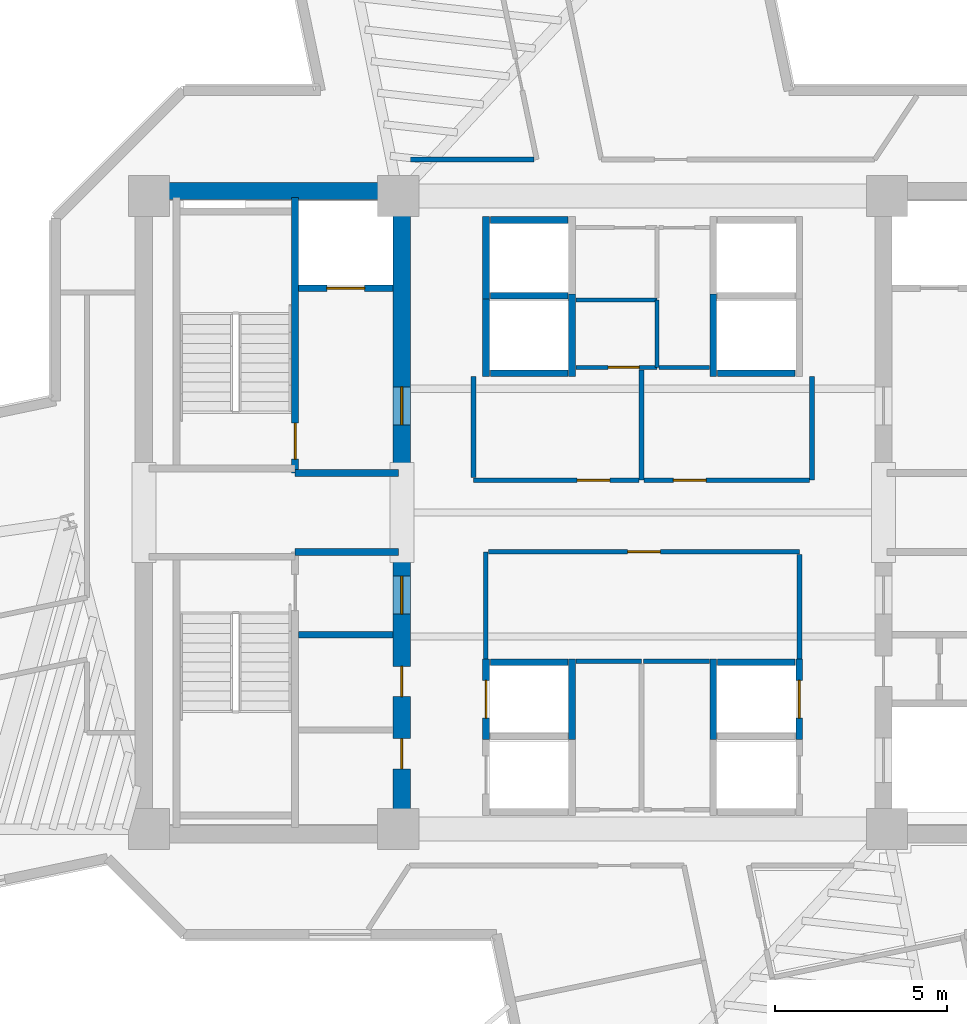
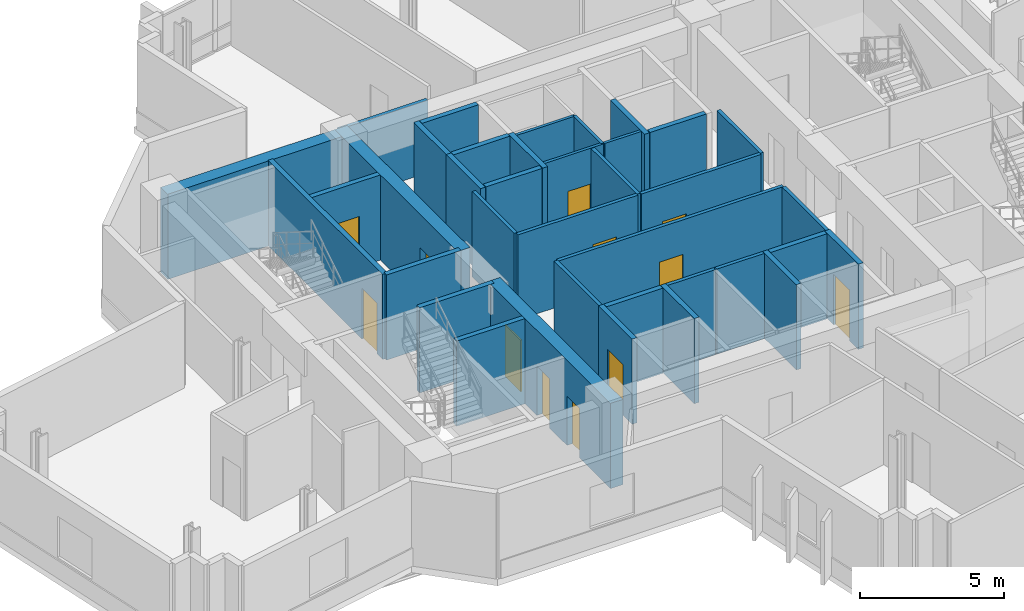
# One storey, part 8 of 14: 37 walls, 12 doors, 12 openings.
"""IFC4 building model written with IfcOpenShell, lengths in metres."""

from ifc_helpers import new_model, si_unit, direction, frame, frame_2d, origin, place, context, subcontext, project, spatial, rectangle, extrude, source, transform, mapped, material, layer, layer_set, type_object, element, fill, save


model = new_model("IFC4")

# Units and contexts
model_context = context("Model", 3, precision=1e-05, world=origin(), true_north=direction((0.0, 1.0)))
body_context = subcontext(model_context, "Body", "Model", "MODEL_VIEW")
ifc_project = project(units=[si_unit("LENGTHUNIT", "METRE"), si_unit("AREAUNIT", "SQUARE_METRE"), si_unit("VOLUMEUNIT", "CUBIC_METRE"), si_unit("PLANEANGLEUNIT", "RADIAN"), si_unit("MASSUNIT", "GRAM", prefix="KILO")], contexts=[model_context])

# Site, building, storey
site_placement = place(None, origin())
site = spatial("IfcSite", under=ifc_project, at=site_placement, CompositionType="ELEMENT")
building_placement = place(site_placement, origin())
building = spatial("IfcBuilding", under=site, at=building_placement, Name="Zahravan Cultural Tower", CompositionType="ELEMENT")
storey_placement = place(building_placement, frame((0.0, 0.0, 159.0)))
storey = spatial("IfcBuildingStorey", under=building, at=storey_placement, Name="L36", CompositionType="ELEMENT", Elevation=159.0)

# Wall, openings, doors
ifc_material_1 = material(Name="Concrete C60/75", Category="concrete")
ifc_layer_1 = layer(ifc_material_1, 0.5)
ifc_layer_set_1 = layer_set([ifc_layer_1], Name="Concrete C60/75")
wall_type_1 = type_object("IfcWallType", Name="CW-SHEAR-500-C60", PredefinedType="SHEAR", material=ifc_layer_set_1)
wall_1_placement = place(storey_placement, frame((29.0, 17.39990234375, 0.0), z_axis=(0.0, 0.0, 1.0), x_axis=(0.0, 1.0, 0.0)))
wall_1 = element("IfcWall", 1, at=wall_1_placement, inside=storey, type_object=wall_type_1, Name="L36 Core Shear Wall CW-W-ES-L36", PredefinedType="SHEAR", context=body_context, shape_type="SweptSolid", body=[
    extrude(rectangle(XDim=8.550048828125, YDim=0.5, at=frame_2d((4.27490234375, 0.0))), origin(), (0.0, 0.0, 1.0), 3.6201171875),
])
opening_1_placement = place(wall_1_placement, frame((6.64990234375, 0.0, 0.0)))
opening_1 = element("IfcOpeningElement", 2, at=opening_1_placement, cuts=wall_1, Name="Opening D-L36-07", PredefinedType="OPENING", context=body_context, shape_type="SweptSolid", body=[
    extrude(rectangle(XDim=1.10009765625, YDim=2.199951171875, at=frame_2d((0.550048828125, 1.10009765625))), frame((0.0, 0.260009765625, 0.0), z_axis=(0.0, -1.0, 0.0), x_axis=(1.0, 0.0, 0.0)), (0.0, 0.0, 1.0), 0.52001953125),
])
opening_2_placement = place(wall_1_placement, frame((2.14990234375, 0.0, 0.0)))
opening_2 = element("IfcOpeningElement", 3, at=opening_2_placement, cuts=wall_1, Name="Opening D-L36-09", PredefinedType="OPENING", context=body_context, shape_type="SweptSolid", body=[
    extrude(rectangle(XDim=0.8798828125, YDim=2.10009765625, at=frame_2d((0.43994140625, 1.050048828125))), frame((0.0, 0.260009765625, 0.0), z_axis=(0.0, -1.0, 0.0), x_axis=(1.0, 0.0, 0.0)), (0.0, 0.0, 1.0), 0.52001953125),
])
opening_3_placement = place(wall_1_placement, frame((4.25, 0.0, 0.0)))
opening_3 = element("IfcOpeningElement", 4, at=opening_3_placement, cuts=wall_1, Name="Opening D-L36-10", PredefinedType="OPENING", context=body_context, shape_type="SweptSolid", body=[
    extrude(rectangle(XDim=0.8798828125, YDim=2.10009765625, at=frame_2d((0.43994140625, 1.050048828125))), frame((0.0, 0.260009765625, 0.0), z_axis=(0.0, -1.0, 0.0), x_axis=(1.0, 0.0, 0.0)), (0.0, 0.0, 1.0), 0.52001953125),
])
ifc_material_2 = material(Name="Steel ASTM A572 Grade 50", Category="steel")
door_type_1 = type_object("IfcDoorType", Name="DR-LOBBY-1100", OperationType="NOTDEFINED", PredefinedType="DOOR", material=ifc_material_2)
shared_shape_1 = source(origin(), body_context, "Body", "SweptSolid", [
    extrude(rectangle(XDim=1.10009765625, YDim=2.199951171875, at=frame_2d((0.550048828125, 1.10009765625))), frame((0.0, 0.02490234375, 0.0), z_axis=(0.0, -1.0, 0.0), x_axis=(1.0, 0.0, 0.0)), (0.0, 0.0, 1.0), 0.050048828125),
])
door_1_placement = place(opening_1_placement, origin())
door_1 = element("IfcDoor", 5, at=door_1_placement, inside=storey, type_object=door_type_1, Name="L36 Door D-L36-07", OperationType="SINGLE_SWING_RIGHT", OverallHeight=2.199951171875, OverallWidth=1.10009765625, PredefinedType="DOOR", context=body_context, shape_type="MappedRepresentation", body=[
    mapped(shared_shape_1, transform((0.0, 0.0, 0.0), x_axis=(1.0, 0.0, 0.0), y_axis=(0.0, 1.0, 0.0), z_axis=(0.0, 0.0, 1.0), scale=1.0)),
])
fill(opening_1, door_1)
door_type_2 = type_object("IfcDoorType", Name="DR-SVC-880", OperationType="NOTDEFINED", PredefinedType="DOOR", material=ifc_material_2)
shared_shape_2 = source(origin(), body_context, "Body", "SweptSolid", [
    extrude(rectangle(XDim=0.8798828125, YDim=2.10009765625, at=frame_2d((0.43994140625, 1.050048828125))), frame((0.0, 0.02490234375, 0.0), z_axis=(0.0, -1.0, 0.0), x_axis=(1.0, 0.0, 0.0)), (0.0, 0.0, 1.0), 0.050048828125),
])
door_2_placement = place(opening_2_placement, origin())
door_2 = element("IfcDoor", 6, at=door_2_placement, inside=storey, type_object=door_type_2, Name="L36 Door D-L36-09", OperationType="SINGLE_SWING_RIGHT", OverallHeight=2.10009765625, OverallWidth=0.8798828125, PredefinedType="DOOR", context=body_context, shape_type="MappedRepresentation", body=[
    mapped(shared_shape_2, transform((0.0, 0.0, 0.0), x_axis=(1.0, 0.0, 0.0), y_axis=(0.0, 1.0, 0.0), z_axis=(0.0, 0.0, 1.0), scale=1.0)),
])
fill(opening_2, door_2)
door_3_placement = place(opening_3_placement, origin())
door_3 = element("IfcDoor", 7, at=door_3_placement, inside=storey, type_object=door_type_2, Name="L36 Door D-L36-10", OperationType="SINGLE_SWING_LEFT", OverallHeight=2.10009765625, OverallWidth=0.8798828125, PredefinedType="DOOR", context=body_context, shape_type="MappedRepresentation", body=[
    mapped(shared_shape_2, transform((0.0, 0.0, 0.0), x_axis=(1.0, 0.0, 0.0), y_axis=(0.0, 1.0, 0.0), z_axis=(0.0, 0.0, 1.0), scale=1.0)),
])
fill(opening_3, door_3)

# Wall, opening, door
wall_2_placement = place(storey_placement, frame((29.0, 28.050048828125, 0.0), z_axis=(0.0, 0.0, 1.0), x_axis=(0.0, 1.0, 0.0)))
wall_2 = element("IfcWall", 8, at=wall_2_placement, inside=storey, type_object=wall_type_1, Name="L36 Core Shear Wall CW-W-EN-L36", PredefinedType="SHEAR", context=body_context, shape_type="SweptSolid", body=[
    extrude(rectangle(XDim=8.550048828125, YDim=0.5, at=frame_2d((4.27490234375, 0.0))), origin(), (0.0, 0.0, 1.0), 3.6201171875),
])
opening_4_placement = place(wall_2_placement, frame((1.5, 0.0, 0.0)))
opening_4 = element("IfcOpeningElement", 9, at=opening_4_placement, cuts=wall_2, Name="Opening D-L36-05", PredefinedType="OPENING", context=body_context, shape_type="SweptSolid", body=[
    extrude(rectangle(XDim=1.10009765625, YDim=2.199951171875, at=frame_2d((0.550048828125, 1.10009765625))), frame((0.0, 0.260009765625, 0.0), z_axis=(0.0, -1.0, 0.0), x_axis=(1.0, 0.0, 0.0)), (0.0, 0.0, 1.0), 0.52001953125),
])
door_4_placement = place(opening_4_placement, origin())
door_4 = element("IfcDoor", 10, at=door_4_placement, inside=storey, type_object=door_type_1, Name="L36 Door D-L36-05", OperationType="SINGLE_SWING_RIGHT", OverallHeight=2.199951171875, OverallWidth=1.10009765625, PredefinedType="DOOR", context=body_context, shape_type="MappedRepresentation", body=[
    mapped(shared_shape_1, transform((0.0, 0.0, 0.0), x_axis=(1.0, 0.0, 0.0), y_axis=(0.0, 1.0, 0.0), z_axis=(0.0, 0.0, 1.0), scale=1.0)),
])
fill(opening_4, door_4)

ifc_material_3 = material(Name="Gypsum plasterboard partition")
ifc_layer_2 = layer(ifc_material_3, 0.139892578125)
ifc_layer_set_2 = layer_set([ifc_layer_2], Name="Gypsum plasterboard partition")
wall_type_2 = type_object("IfcWallType", Name="W-PART-140", PredefinedType="PARTITIONING", material=ifc_layer_set_2)
wall_3_placement = place(storey_placement, frame((35.89501953125, 27.93994140625, 0.0), z_axis=(0.0, 0.0, 1.0), x_axis=(-1.0, 0.0, 0.0)))
wall_3 = element("IfcWall", 11, at=wall_3_placement, inside=storey, type_object=wall_type_2, Name="L36 Interior Wall 069", PredefinedType="PARTITIONING", context=body_context, shape_type="SweptSolid", body=[
    extrude(rectangle(XDim=4.81494140625, YDim=0.139892578125, at=frame_2d((2.407470703125, 0.0))), origin(), (0.0, 0.0, 1.0), 3.6201171875),
])
opening_5_placement = place(wall_3_placement, frame((0.850341796875, 0.0, 0.0)))
opening_5 = element("IfcOpeningElement", 12, at=opening_5_placement, cuts=wall_3, Name="Opening D-L36-16", PredefinedType="OPENING", context=body_context, shape_type="SweptSolid", body=[
    extrude(rectangle(XDim=0.949951171875, YDim=2.14990234375, at=frame_2d((0.47509765625, 1.074951171875))), frame((0.0, 0.079833984375, 0.0), z_axis=(0.0, -1.0, 0.0), x_axis=(1.0, 0.0, 0.0)), (0.0, 0.0, 1.0), 0.159912109375),
])
ifc_material_4 = material(Name="Anodised bronze-aluminium mullion", Category="aluminium")
door_type_3 = type_object("IfcDoorType", Name="DR-ROOM-950", OperationType="NOTDEFINED", PredefinedType="DOOR", material=ifc_material_4)
shared_shape_3 = source(origin(), body_context, "Body", "SweptSolid", [
    extrude(rectangle(XDim=0.949951171875, YDim=2.14990234375, at=frame_2d((0.47509765625, 1.074951171875))), frame((0.0, 0.02490234375, 0.0), z_axis=(0.0, -1.0, 0.0), x_axis=(1.0, 0.0, 0.0)), (0.0, 0.0, 1.0), 0.050048828125),
])
door_5_placement = place(opening_5_placement, origin())
door_5 = element("IfcDoor", 13, at=door_5_placement, inside=storey, type_object=door_type_3, Name="L36 Door D-L36-16", OperationType="SINGLE_SWING_LEFT", OverallHeight=2.14990234375, OverallWidth=0.949951171875, PredefinedType="DOOR", context=body_context, shape_type="MappedRepresentation", body=[
    mapped(shared_shape_3, transform((0.0, 0.0, 0.0), x_axis=(1.0, 0.0, 0.0), y_axis=(0.0, 1.0, 0.0), z_axis=(0.0, 0.0, 1.0), scale=1.0)),
])
fill(opening_5, door_5)

wall_4_placement = place(storey_placement, frame((40.844970703125, 27.93994140625, 0.0), z_axis=(0.0, 0.0, 1.0), x_axis=(-1.0, 0.0, 0.0)))
wall_4 = element("IfcWall", 14, at=wall_4_placement, inside=storey, type_object=wall_type_2, Name="L36 Interior Wall 072", PredefinedType="PARTITIONING", context=body_context, shape_type="SweptSolid", body=[
    extrude(rectangle(XDim=4.800048828125, YDim=0.139892578125, at=frame_2d((2.39990234375, 0.0))), origin(), (0.0, 0.0, 1.0), 3.6201171875),
])
opening_6_placement = place(wall_4_placement, frame((3.0029296875, 0.0, 0.0)))
opening_6 = element("IfcOpeningElement", 15, at=opening_6_placement, cuts=wall_4, Name="Opening D-L36-17", PredefinedType="OPENING", context=body_context, shape_type="SweptSolid", body=[
    extrude(rectangle(XDim=0.949951171875, YDim=2.14990234375, at=frame_2d((0.47509765625, 1.074951171875))), frame((0.0, 0.079833984375, 0.0), z_axis=(0.0, -1.0, 0.0), x_axis=(1.0, 0.0, 0.0)), (0.0, 0.0, 1.0), 0.159912109375),
])
door_6_placement = place(opening_6_placement, origin())
door_6 = element("IfcDoor", 16, at=door_6_placement, inside=storey, type_object=door_type_3, Name="L36 Door D-L36-17", OperationType="SINGLE_SWING_RIGHT", OverallHeight=2.14990234375, OverallWidth=0.949951171875, PredefinedType="DOOR", context=body_context, shape_type="MappedRepresentation", body=[
    mapped(shared_shape_3, transform((0.0, 0.0, 0.0), x_axis=(1.0, 0.0, 0.0), y_axis=(0.0, 1.0, 0.0), z_axis=(0.0, 0.0, 1.0), scale=1.0)),
])
fill(opening_6, door_6)

wall_5_placement = place(storey_placement, frame((31.514892578125, 25.860107421875, 0.0), z_axis=(0.0, 0.0, 1.0), x_axis=(1.0, 0.0, 0.0)))
wall_5 = element("IfcWall", 17, at=wall_5_placement, inside=storey, type_object=wall_type_2, Name="L36 Interior Wall 078", PredefinedType="PARTITIONING", context=body_context, shape_type="SweptSolid", body=[
    extrude(rectangle(XDim=9.045166015625, YDim=0.139892578125, at=frame_2d((4.5224609375, 0.0))), origin(), (0.0, 0.0, 1.0), 3.6201171875),
])
opening_7_placement = place(wall_5_placement, frame((4.047607421875, 0.0, 0.0)))
opening_7 = element("IfcOpeningElement", 18, at=opening_7_placement, cuts=wall_5, Name="Opening D-L36-13", PredefinedType="OPENING", context=body_context, shape_type="SweptSolid", body=[
    extrude(rectangle(XDim=0.949951171875, YDim=2.14990234375, at=frame_2d((0.47509765625, 1.074951171875))), frame((0.0, 0.079833984375, 0.0), z_axis=(0.0, -1.0, 0.0), x_axis=(1.0, 0.0, 0.0)), (0.0, 0.0, 1.0), 0.159912109375),
])
door_7_placement = place(opening_7_placement, origin())
door_7 = element("IfcDoor", 19, at=door_7_placement, inside=storey, type_object=door_type_3, Name="L36 Door D-L36-13", OperationType="SINGLE_SWING_RIGHT", OverallHeight=2.14990234375, OverallWidth=0.949951171875, PredefinedType="DOOR", context=body_context, shape_type="MappedRepresentation", body=[
    mapped(shared_shape_3, transform((0.0, 0.0, 0.0), x_axis=(1.0, 0.0, 0.0), y_axis=(0.0, 1.0, 0.0), z_axis=(0.0, 0.0, 1.0), scale=1.0)),
])
fill(opening_7, door_7)

ifc_material_5 = material(Name="Concrete C45/55", Category="concrete")
ifc_layer_3 = layer(ifc_material_5, 0.199951171875)
ifc_layer_set_3 = layer_set([ifc_layer_3], Name="Concrete C45/55")
wall_type_3 = type_object("IfcWallType", Name="W-SHAFT-200", PredefinedType="SOLIDWALL", material=ifc_layer_set_3)
wall_6_placement = place(storey_placement, frame((25.89990234375, 28.14990234375, 0.0), z_axis=(0.0, 0.0, 1.0), x_axis=(0.0, 1.0, 0.0)))
wall_6 = element("IfcWall", 20, at=wall_6_placement, inside=storey, type_object=wall_type_3, Name="L36 Interior Wall 006", PredefinedType="SOLIDWALL", context=body_context, shape_type="SweptSolid", body=[
    extrude(rectangle(XDim=8.0, YDim=0.199951171875, at=frame_2d((4.0, 0.0))), origin(), (0.0, 0.0, 1.0), 3.6201171875),
])
opening_8_placement = place(wall_6_placement, frame((0.39990234375, 0.0, 0.0)))
opening_8 = element("IfcOpeningElement", 21, at=opening_8_placement, cuts=wall_6, Name="Opening D-L36-01", PredefinedType="OPENING", context=body_context, shape_type="SweptSolid", body=[
    extrude(rectangle(XDim=1.050048828125, YDim=2.14990234375, at=frame_2d((0.52490234375, 1.074951171875))), frame((0.0, 0.10986328125, 0.0), z_axis=(0.0, -1.0, 0.0), x_axis=(1.0, 0.0, 0.0)), (0.0, 0.0, 1.0), 0.219970703125),
])
door_type_4 = type_object("IfcDoorType", Name="DR-STAIR-1050", OperationType="NOTDEFINED", PredefinedType="DOOR", material=ifc_material_2)
shared_shape_4 = source(origin(), body_context, "Body", "SweptSolid", [
    extrude(rectangle(XDim=1.050048828125, YDim=2.14990234375, at=frame_2d((0.52490234375, 1.074951171875))), frame((0.0, 0.02490234375, 0.0), z_axis=(0.0, -1.0, 0.0), x_axis=(1.0, 0.0, 0.0)), (0.0, 0.0, 1.0), 0.050048828125),
])
door_8_placement = place(opening_8_placement, origin())
door_8 = element("IfcDoor", 22, at=door_8_placement, inside=storey, type_object=door_type_4, Name="L36 Door D-L36-01", OperationType="SINGLE_SWING_RIGHT", OverallHeight=2.14990234375, OverallWidth=1.050048828125, PredefinedType="DOOR", context=body_context, shape_type="MappedRepresentation", body=[
    mapped(shared_shape_4, transform((0.0, 0.0, 0.0), x_axis=(1.0, 0.0, 0.0), y_axis=(0.0, 1.0, 0.0), z_axis=(0.0, 0.0, 1.0), scale=1.0)),
])
fill(opening_8, door_8)

wall_7_placement = place(storey_placement, frame((26.0, 33.52001953125, 0.0), z_axis=(0.0, 0.0, 1.0), x_axis=(1.0, 0.0, 0.0)))
wall_7 = element("IfcWall", 23, at=wall_7_placement, inside=storey, type_object=wall_type_3, Name="L36 Interior Wall 021", PredefinedType="SOLIDWALL", context=body_context, shape_type="SweptSolid", body=[
    extrude(rectangle(XDim=2.75, YDim=0.199951171875, at=frame_2d((1.375, 0.0))), origin(), (0.0, 0.0, 1.0), 3.6201171875),
])
opening_9_placement = place(wall_7_placement, frame((0.820068359375, 0.0, 0.0)))
opening_9 = element("IfcOpeningElement", 24, at=opening_9_placement, cuts=wall_7, Name="Opening LD-L36-01", PredefinedType="OPENING", context=body_context, shape_type="SweptSolid", body=[
    extrude(rectangle(XDim=1.10009765625, YDim=2.14990234375, at=frame_2d((0.550048828125, 1.074951171875))), frame((0.0, 0.10986328125, 0.0), z_axis=(0.0, -1.0, 0.0), x_axis=(1.0, 0.0, 0.0)), (0.0, 0.0, 1.0), 0.219970703125),
])
door_type_5 = type_object("IfcDoorType", Name="DR-LIFT-1100", OperationType="DOUBLE_DOOR_SLIDING", PredefinedType="DOOR", material=ifc_material_2)
shared_shape_5 = source(origin(), body_context, "Body", "SweptSolid", [
    extrude(rectangle(XDim=1.10009765625, YDim=2.14990234375, at=frame_2d((0.550048828125, 1.074951171875))), frame((0.0, 0.02490234375, 0.0), z_axis=(0.0, -1.0, 0.0), x_axis=(1.0, 0.0, 0.0)), (0.0, 0.0, 1.0), 0.050048828125),
])
door_9_placement = place(opening_9_placement, origin())
door_9 = element("IfcDoor", 25, at=door_9_placement, inside=storey, type_object=door_type_5, Name="L36 Door LD-L36-01", OperationType="DOUBLE_DOOR_SLIDING", OverallHeight=2.14990234375, OverallWidth=1.10009765625, PredefinedType="DOOR", context=body_context, shape_type="MappedRepresentation", body=[
    mapped(shared_shape_5, transform((0.0, 0.0, 0.0), x_axis=(1.0, 0.0, 0.0), y_axis=(0.0, 1.0, 0.0), z_axis=(0.0, 0.0, 1.0), scale=1.0)),
])
fill(opening_9, door_9)

wall_8_placement = place(storey_placement, frame((31.449951171875, 20.39990234375, 0.0), z_axis=(0.0, 0.0, 1.0), x_axis=(0.0, 1.0, 0.0)))
wall_8 = element("IfcWall", 26, at=wall_8_placement, inside=storey, type_object=wall_type_3, Name="L36 Interior Wall 042", PredefinedType="SOLIDWALL", context=body_context, shape_type="SweptSolid", body=[
    extrude(rectangle(XDim=2.35009765625, YDim=0.199951171875, at=frame_2d((1.175048828125, 0.0))), origin(), (0.0, 0.0, 1.0), 3.6201171875),
])
opening_10_placement = place(wall_8_placement, frame((0.625, 0.0, 0.0)))
opening_10 = element("IfcOpeningElement", 27, at=opening_10_placement, cuts=wall_8, Name="Opening LD-L36-04", PredefinedType="OPENING", context=body_context, shape_type="SweptSolid", body=[
    extrude(rectangle(XDim=1.10009765625, YDim=2.14990234375, at=frame_2d((0.550048828125, 1.074951171875))), frame((0.0, 0.10986328125, 0.0), z_axis=(0.0, -1.0, 0.0), x_axis=(1.0, 0.0, 0.0)), (0.0, 0.0, 1.0), 0.219970703125),
])
door_10_placement = place(opening_10_placement, origin())
door_10 = element("IfcDoor", 28, at=door_10_placement, inside=storey, type_object=door_type_5, Name="L36 Door LD-L36-04", OperationType="DOUBLE_DOOR_SLIDING", OverallHeight=2.14990234375, OverallWidth=1.10009765625, PredefinedType="DOOR", context=body_context, shape_type="MappedRepresentation", body=[
    mapped(shared_shape_5, transform((0.0, 0.0, 0.0), x_axis=(1.0, 0.0, 0.0), y_axis=(0.0, 1.0, 0.0), z_axis=(0.0, 0.0, 1.0), scale=1.0)),
])
fill(opening_10, door_10)

wall_9_placement = place(storey_placement, frame((40.550048828125, 20.39990234375, 0.0), z_axis=(0.0, 0.0, 1.0), x_axis=(0.0, 1.0, 0.0)))
wall_9 = element("IfcWall", 29, at=wall_9_placement, inside=storey, type_object=wall_type_3, Name="L36 Interior Wall 050", PredefinedType="SOLIDWALL", context=body_context, shape_type="SweptSolid", body=[
    extrude(rectangle(XDim=2.35009765625, YDim=0.199951171875, at=frame_2d((1.175048828125, 0.0))), origin(), (0.0, 0.0, 1.0), 3.6201171875),
])
opening_11_placement = place(wall_9_placement, frame((0.625, 0.0, 0.0)))
opening_11 = element("IfcOpeningElement", 30, at=opening_11_placement, cuts=wall_9, Name="Opening LD-L36-06", PredefinedType="OPENING", context=body_context, shape_type="SweptSolid", body=[
    extrude(rectangle(XDim=1.10009765625, YDim=2.14990234375, at=frame_2d((0.550048828125, 1.074951171875))), frame((0.0, 0.10986328125, 0.0), z_axis=(0.0, -1.0, 0.0), x_axis=(1.0, 0.0, 0.0)), (0.0, 0.0, 1.0), 0.219970703125),
])
door_11_placement = place(opening_11_placement, origin())
door_11 = element("IfcDoor", 31, at=door_11_placement, inside=storey, type_object=door_type_5, Name="L36 Door LD-L36-06", OperationType="DOUBLE_DOOR_SLIDING", OverallHeight=2.14990234375, OverallWidth=1.10009765625, PredefinedType="DOOR", context=body_context, shape_type="MappedRepresentation", body=[
    mapped(shared_shape_5, transform((0.0, 0.0, 0.0), x_axis=(1.0, 0.0, 0.0), y_axis=(0.0, 1.0, 0.0), z_axis=(0.0, 0.0, 1.0), scale=1.0)),
])
fill(opening_11, door_11)

ifc_layer_4 = layer(ifc_material_3, 0.114990234375)
ifc_layer_set_4 = layer_set([ifc_layer_4], Name="Gypsum plasterboard partition")
wall_type_4 = type_object("IfcWallType", Name="W-WC-115", PredefinedType="PARTITIONING", material=ifc_layer_set_4)
wall_10_placement = place(storey_placement, frame((36.409912109375, 31.219970703125, 0.0), z_axis=(0.0, 0.0, 1.0), x_axis=(-1.0, 0.0, 0.0)))
wall_10 = element("IfcWall", 32, at=wall_10_placement, inside=storey, type_object=wall_type_4, Name="L36 Interior Wall 056", PredefinedType="PARTITIONING", context=body_context, shape_type="SweptSolid", body=[
    extrude(rectangle(XDim=2.35498046875, YDim=0.114990234375, at=frame_2d((1.177490234375, 0.0))), origin(), (0.0, 0.0, 1.0), 3.6201171875),
])
opening_12_placement = place(wall_10_placement, frame((0.5166015625, 0.0, 0.0)))
opening_12 = element("IfcOpeningElement", 33, at=opening_12_placement, cuts=wall_10, Name="Opening D-L36-29", PredefinedType="OPENING", context=body_context, shape_type="SweptSolid", body=[
    extrude(rectangle(XDim=0.89990234375, YDim=2.10009765625, at=frame_2d((0.449951171875, 1.050048828125))), frame((0.0, 0.0673828125, 0.0), z_axis=(0.0, -1.0, 0.0), x_axis=(1.0, 0.0, 0.0)), (0.0, 0.0, 1.0), 0.135009765625),
])
door_type_6 = type_object("IfcDoorType", Name="DR-WC-900", OperationType="NOTDEFINED", PredefinedType="DOOR", material=ifc_material_4)
shared_shape_6 = source(origin(), body_context, "Body", "SweptSolid", [
    extrude(rectangle(XDim=0.89990234375, YDim=2.10009765625, at=frame_2d((0.449951171875, 1.050048828125))), frame((0.0, 0.02490234375, 0.0), z_axis=(0.0, -1.0, 0.0), x_axis=(1.0, 0.0, 0.0)), (0.0, 0.0, 1.0), 0.050048828125),
])
door_12_placement = place(opening_12_placement, origin())
door_12 = element("IfcDoor", 34, at=door_12_placement, inside=storey, type_object=door_type_6, Name="L36 Door D-L36-29", OperationType="SINGLE_SWING_RIGHT", OverallHeight=2.10009765625, OverallWidth=0.89990234375, PredefinedType="DOOR", context=body_context, shape_type="MappedRepresentation", body=[
    mapped(shared_shape_6, transform((0.0, 0.0, 0.0), x_axis=(1.0, 0.0, 0.0), y_axis=(0.0, 1.0, 0.0), z_axis=(0.0, 0.0, 1.0), scale=1.0)),
])
fill(opening_12, door_12)

# Walls
shared_shape_7 = source(origin(), body_context, "Body", "SweptSolid", [
    extrude(rectangle(XDim=7.0, YDim=0.5, at=frame_2d((3.5, 0.0))), origin(), (0.0, 0.0, 1.0), 3.6201171875),
])
wall_11_placement = place(storey_placement, frame((21.75, 36.35009765625, 0.0), z_axis=(0.0, 0.0, 1.0), x_axis=(1.0, 0.0, 0.0)))
element("IfcWall", 35, at=wall_11_placement, inside=storey, type_object=wall_type_1, Name="L36 Core Shear Wall CW-W-N-L36", PredefinedType="SHEAR", context=body_context, shape_type="MappedRepresentation", body=[
    mapped(shared_shape_7, transform((0.0, 0.0, 0.0), x_axis=(1.0, 0.0, 0.0), y_axis=(0.0, 1.0, 0.0), z_axis=(0.0, 0.0, 1.0), scale=1.0)),
])
shared_shape_8 = source(origin(), body_context, "Body", "SweptSolid", [
    extrude(rectangle(XDim=3.0, YDim=0.199951171875, at=frame_2d((1.5, 0.0))), origin(), (0.0, 0.0, 1.0), 3.6201171875),
])
for number, where, z_axis, x_axis, name in (
    (36, (25.89990234375, 25.85009765625, 0.0), (0.0, 0.0, 1.0), (1.0, 0.0, 0.0), "L36 Interior Wall 010"),
    (37, (25.89990234375, 28.14990234375, 0.0), (0.0, 0.0, 1.0), (1.0, 0.0, 0.0), "L36 Interior Wall 012"),
):
    element("IfcWall", number, at=place(storey_placement, frame(where, z_axis=z_axis, x_axis=x_axis)), inside=storey, type_object=wall_type_3, Name=name, PredefinedType="SOLIDWALL", context=body_context, shape_type="MappedRepresentation", body=[
        mapped(shared_shape_8, transform((0.0, 0.0, 0.0), x_axis=(1.0, 0.0, 0.0), y_axis=(0.0, 1.0, 0.0), z_axis=(0.0, 0.0, 1.0), scale=1.0)),
    ])
shared_shape_9 = source(origin(), body_context, "Body", "SweptSolid", [
    extrude(rectangle(XDim=2.75, YDim=0.199951171875, at=frame_2d((1.375, 0.0))), origin(), (0.0, 0.0, 1.0), 3.6201171875),
])
wall_12_placement = place(storey_placement, frame((26.0, 23.449951171875, 0.0), z_axis=(0.0, 0.0, 1.0), x_axis=(1.0, 0.0, 0.0)))
element("IfcWall", 38, at=wall_12_placement, inside=storey, type_object=wall_type_3, Name="L36 Interior Wall 023", PredefinedType="SOLIDWALL", context=body_context, shape_type="MappedRepresentation", body=[
    mapped(shared_shape_9, transform((0.0, 0.0, 0.0), x_axis=(1.0, 0.0, 0.0), y_axis=(0.0, 1.0, 0.0), z_axis=(0.0, 0.0, 1.0), scale=1.0)),
])
shared_shape_10 = source(origin(), body_context, "Body", "SweptSolid", [
    extrude(rectangle(XDim=2.400146484375, YDim=0.199951171875, at=frame_2d((1.2001953125, 0.0))), origin(), (0.0, 0.0, 1.0), 3.6201171875),
])
for number, where, z_axis, x_axis, name in (
    (39, (31.449951171875, 33.199951171875, 0.0), (0.0, 0.0, 1.0), (0.0, 1.0, 0.0), "L36 Interior Wall 028"),
    (40, (31.449951171875, 30.949951171875, 0.0), (0.0, 0.0, 1.0), (0.0, 1.0, 0.0), "L36 Interior Wall 032"),
    (41, (33.949951171875, 30.949951171875, 0.0), (0.0, 0.0, 1.0), (0.0, 1.0, 0.0), "L36 Interior Wall 033"),
    (42, (38.050048828125, 30.949951171875, 0.0), (0.0, 0.0, 1.0), (0.0, 1.0, 0.0), "L36 Interior Wall 039"),
):
    element("IfcWall", number, at=place(storey_placement, frame(where, z_axis=z_axis, x_axis=x_axis)), inside=storey, type_object=wall_type_3, Name=name, PredefinedType="SOLIDWALL", context=body_context, shape_type="MappedRepresentation", body=[
        mapped(shared_shape_10, transform((0.0, 0.0, 0.0), x_axis=(1.0, 0.0, 0.0), y_axis=(0.0, 1.0, 0.0), z_axis=(0.0, 0.0, 1.0), scale=1.0)),
    ])
shared_shape_11 = source(origin(), body_context, "Body", "SweptSolid", [
    extrude(rectangle(XDim=2.260009765625, YDim=0.199951171875, at=frame_2d((1.1298828125, 0.0))), origin(), (0.0, 0.0, 1.0), 3.6201171875),
])
for number, where, z_axis, x_axis, name in (
    (43, (31.570068359375, 33.300048828125, 0.0), (0.0, 0.0, 1.0), (1.0, 0.0, 0.0), "L36 Interior Wall 030"),
    (44, (31.570068359375, 35.5, 0.0), (0.0, 0.0, 1.0), (1.0, 0.0, 0.0), "L36 Interior Wall 031"),
    (45, (31.570068359375, 31.050048828125, 0.0), (0.0, 0.0, 1.0), (1.0, 0.0, 0.0), "L36 Interior Wall 034"),
    (46, (38.169921875, 31.050048828125, 0.0), (0.0, 0.0, 1.0), (1.0, 0.0, 0.0), "L36 Interior Wall 041"),
    (47, (31.570068359375, 22.64990234375, 0.0), (0.0, 0.0, 1.0), (1.0, 0.0, 0.0), "L36 Interior Wall 045"),
    (48, (38.169921875, 22.64990234375, 0.0), (0.0, 0.0, 1.0), (1.0, 0.0, 0.0), "L36 Interior Wall 052"),
):
    element("IfcWall", number, at=place(storey_placement, frame(where, z_axis=z_axis, x_axis=x_axis)), inside=storey, type_object=wall_type_3, Name=name, PredefinedType="SOLIDWALL", context=body_context, shape_type="MappedRepresentation", body=[
        mapped(shared_shape_11, transform((0.0, 0.0, 0.0), x_axis=(1.0, 0.0, 0.0), y_axis=(0.0, 1.0, 0.0), z_axis=(0.0, 0.0, 1.0), scale=1.0)),
    ])
shared_shape_12 = source(origin(), body_context, "Body", "SweptSolid", [
    extrude(rectangle(XDim=2.35009765625, YDim=0.199951171875, at=frame_2d((1.175048828125, 0.0))), origin(), (0.0, 0.0, 1.0), 3.6201171875),
])
for number, where, z_axis, x_axis, name in (
    (49, (33.949951171875, 20.39990234375, 0.0), (0.0, 0.0, 1.0), (0.0, 1.0, 0.0), "L36 Interior Wall 043"),
    (50, (38.050048828125, 20.39990234375, 0.0), (0.0, 0.0, 1.0), (0.0, 1.0, 0.0), "L36 Interior Wall 049"),
):
    element("IfcWall", number, at=place(storey_placement, frame(where, z_axis=z_axis, x_axis=x_axis)), inside=storey, type_object=wall_type_3, Name=name, PredefinedType="SOLIDWALL", context=body_context, shape_type="MappedRepresentation", body=[
        mapped(shared_shape_12, transform((0.0, 0.0, 0.0), x_axis=(1.0, 0.0, 0.0), y_axis=(0.0, 1.0, 0.0), z_axis=(0.0, 0.0, 1.0), scale=1.0)),
    ])
shared_shape_13 = source(origin(), body_context, "Body", "SweptSolid", [
    extrude(rectangle(XDim=1.9599609375, YDim=0.114990234375, at=frame_2d((0.97998046875, 0.0))), origin(), (0.0, 0.0, 1.0), 3.6201171875),
])
wall_13_placement = place(storey_placement, frame((36.409912109375, 33.179931640625, 0.0), z_axis=(0.0, 0.0, 1.0), x_axis=(0.0, -1.0, 0.0)))
element("IfcWall", 51, at=wall_13_placement, inside=storey, type_object=wall_type_4, Name="L36 Interior Wall 058", PredefinedType="PARTITIONING", context=body_context, shape_type="MappedRepresentation", body=[
    mapped(shared_shape_13, transform((0.0, 0.0, 0.0), x_axis=(1.0, 0.0, 0.0), y_axis=(0.0, 1.0, 0.0), z_axis=(0.0, 0.0, 1.0), scale=1.0)),
])
shared_shape_14 = source(origin(), body_context, "Body", "SweptSolid", [
    extrude(rectangle(XDim=1.47265625, YDim=0.114990234375, at=frame_2d((0.736328125, 0.0))), origin(), (0.0, 0.0, 1.0), 3.6201171875),
])
wall_14_placement = place(storey_placement, frame((37.945068359375, 31.219970703125, 0.0), z_axis=(0.0, 0.0, 1.0), x_axis=(-1.0, 0.0, 0.0)))
element("IfcWall", 52, at=wall_14_placement, inside=storey, type_object=wall_type_4, Name="L36 Interior Wall 061", PredefinedType="PARTITIONING", context=body_context, shape_type="MappedRepresentation", body=[
    mapped(shared_shape_14, transform((0.0, 0.0, 0.0), x_axis=(1.0, 0.0, 0.0), y_axis=(0.0, 1.0, 0.0), z_axis=(0.0, 0.0, 1.0), scale=1.0)),
])
shared_shape_15 = source(origin(), body_context, "Body", "SweptSolid", [
    extrude(rectangle(XDim=3.110107421875, YDim=0.139892578125, at=frame_2d((1.55517578125, 0.0))), origin(), (0.0, 0.0, 1.0), 3.6201171875),
])
wall_15_placement = place(storey_placement, frame((31.43994140625, 22.75, 0.0), z_axis=(0.0, 0.0, 1.0), x_axis=(0.0, 1.0, 0.0)))
element("IfcWall", 53, at=wall_15_placement, inside=storey, type_object=wall_type_2, Name="L36 Interior Wall 077", PredefinedType="PARTITIONING", context=body_context, shape_type="MappedRepresentation", body=[
    mapped(shared_shape_15, transform((0.0, 0.0, 0.0), x_axis=(1.0, 0.0, 0.0), y_axis=(0.0, 1.0, 0.0), z_axis=(0.0, 0.0, 1.0), scale=1.0)),
])
shared_shape_16 = source(origin(), body_context, "Body", "SweptSolid", [
    extrude(rectangle(XDim=3.034912109375, YDim=0.139892578125, at=frame_2d((1.517578125, 0.0))), origin(), (0.0, 0.0, 1.0), 3.6201171875),
])
wall_16_placement = place(storey_placement, frame((40.56005859375, 25.784912109375, 0.0), z_axis=(0.0, 0.0, 1.0), x_axis=(0.0, -1.0, 0.0)))
element("IfcWall", 54, at=wall_16_placement, inside=storey, type_object=wall_type_2, Name="L36 Interior Wall 079", PredefinedType="PARTITIONING", context=body_context, shape_type="MappedRepresentation", body=[
    mapped(shared_shape_16, transform((0.0, 0.0, 0.0), x_axis=(1.0, 0.0, 0.0), y_axis=(0.0, 1.0, 0.0), z_axis=(0.0, 0.0, 1.0), scale=1.0)),
])
shared_shape_17 = source(origin(), body_context, "Body", "SweptSolid", [
    extrude(rectangle(XDim=3.199951171875, YDim=0.139892578125, at=frame_2d((1.60009765625, 0.0))), origin(), (0.0, 0.0, 1.0), 3.6201171875),
])
wall_17_placement = place(storey_placement, frame((35.969970703125, 31.139892578125, 0.0), z_axis=(0.0, 0.0, 1.0), x_axis=(0.0, -1.0, 0.0)))
element("IfcWall", 55, at=wall_17_placement, inside=storey, type_object=wall_type_2, Name="L36 Interior Wall 068", PredefinedType="PARTITIONING", context=body_context, shape_type="MappedRepresentation", body=[
    mapped(shared_shape_17, transform((0.0, 0.0, 0.0), x_axis=(1.0, 0.0, 0.0), y_axis=(0.0, 1.0, 0.0), z_axis=(0.0, 0.0, 1.0), scale=1.0)),
])
shared_shape_18 = source(origin(), body_context, "Body", "SweptSolid", [
    extrude(rectangle(XDim=2.93505859375, YDim=0.139892578125, at=frame_2d((1.467529296875, 0.0))), origin(), (0.0, 0.0, 1.0), 3.6201171875),
])
wall_18_placement = place(storey_placement, frame((31.080078125, 28.014892578125, 0.0), z_axis=(0.0, 0.0, 1.0), x_axis=(0.0, 1.0, 0.0)))
element("IfcWall", 56, at=wall_18_placement, inside=storey, type_object=wall_type_2, Name="L36 Interior Wall 070", PredefinedType="PARTITIONING", context=body_context, shape_type="MappedRepresentation", body=[
    mapped(shared_shape_18, transform((0.0, 0.0, 0.0), x_axis=(1.0, 0.0, 0.0), y_axis=(0.0, 1.0, 0.0), z_axis=(0.0, 0.0, 1.0), scale=1.0)),
])
shared_shape_19 = source(origin(), body_context, "Body", "SweptSolid", [
    extrude(rectangle(XDim=3.010009765625, YDim=0.139892578125, at=frame_2d((1.5048828125, 0.0))), origin(), (0.0, 0.0, 1.0), 3.6201171875),
])
wall_19_placement = place(storey_placement, frame((40.919921875, 30.949951171875, 0.0), z_axis=(0.0, 0.0, 1.0), x_axis=(0.0, -1.0, 0.0)))
element("IfcWall", 57, at=wall_19_placement, inside=storey, type_object=wall_type_2, Name="L36 Interior Wall 071", PredefinedType="PARTITIONING", context=body_context, shape_type="MappedRepresentation", body=[
    mapped(shared_shape_19, transform((0.0, 0.0, 0.0), x_axis=(1.0, 0.0, 0.0), y_axis=(0.0, 1.0, 0.0), z_axis=(0.0, 0.0, 1.0), scale=1.0)),
])
shared_shape_20 = source(origin(), body_context, "Body", "SweptSolid", [
    extrude(rectangle(XDim=2.35498046875, YDim=0.114990234375, at=frame_2d((1.177490234375, 0.0))), origin(), (0.0, 0.0, 1.0), 3.6201171875),
])
wall_20_placement = place(storey_placement, frame((34.054931640625, 33.179931640625, 0.0), z_axis=(0.0, 0.0, 1.0), x_axis=(1.0, 0.0, 0.0)))
element("IfcWall", 58, at=wall_20_placement, inside=storey, type_object=wall_type_4, Name="L36 Interior Wall 057", PredefinedType="PARTITIONING", context=body_context, shape_type="MappedRepresentation", body=[
    mapped(shared_shape_20, transform((0.0, 0.0, 0.0), x_axis=(1.0, 0.0, 0.0), y_axis=(0.0, 1.0, 0.0), z_axis=(0.0, 0.0, 1.0), scale=1.0)),
])
shared_shape_21 = source(origin(), body_context, "Body", "SweptSolid", [
    extrude(rectangle(XDim=1.9150390625, YDim=0.139892578125, at=frame_2d((0.95751953125, 0.0))), origin(), (0.0, 0.0, 1.0), 3.6201171875),
])
for number, where, z_axis, x_axis, name in (
    (59, (34.054931640625, 22.679931640625, 0.0), (0.0, 0.0, 1.0), (1.0, 0.0, 0.0), "L36 Interior Wall 063"),
    (60, (36.030029296875, 22.679931640625, 0.0), (0.0, 0.0, 1.0), (1.0, 0.0, 0.0), "L36 Interior Wall 066"),
):
    element("IfcWall", number, at=place(storey_placement, frame(where, z_axis=z_axis, x_axis=x_axis)), inside=storey, type_object=wall_type_2, Name=name, PredefinedType="PARTITIONING", context=body_context, shape_type="MappedRepresentation", body=[
        mapped(shared_shape_21, transform((0.0, 0.0, 0.0), x_axis=(1.0, 0.0, 0.0), y_axis=(0.0, 1.0, 0.0), z_axis=(0.0, 0.0, 1.0), scale=1.0)),
    ])
shared_shape_22 = source(origin(), body_context, "Body", "SweptSolid", [
    extrude(rectangle(XDim=3.589111328125, YDim=0.139892578125, at=frame_2d((1.79443359375, 0.0))), origin(), (0.0, 0.0, 1.0), 3.0791015625),
])
wall_21_placement = place(storey_placement, frame((32.843994140625, 37.260009765625, 0.0), z_axis=(0.0, 0.0, 1.0), x_axis=(-0.999999942162, -0.000340112898, 0.0)))
element("IfcWall", 61, at=wall_21_placement, inside=storey, type_object=wall_type_2, Name="L36 Interior Wall 092", PredefinedType="PARTITIONING", context=body_context, shape_type="MappedRepresentation", body=[
    mapped(shared_shape_22, transform((0.0, 0.0, 0.0), x_axis=(1.0, 0.0, 0.0), y_axis=(0.0, 1.0, 0.0), z_axis=(0.0, 0.0, 1.0), scale=1.0)),
])

save(model, "model.ifc")
